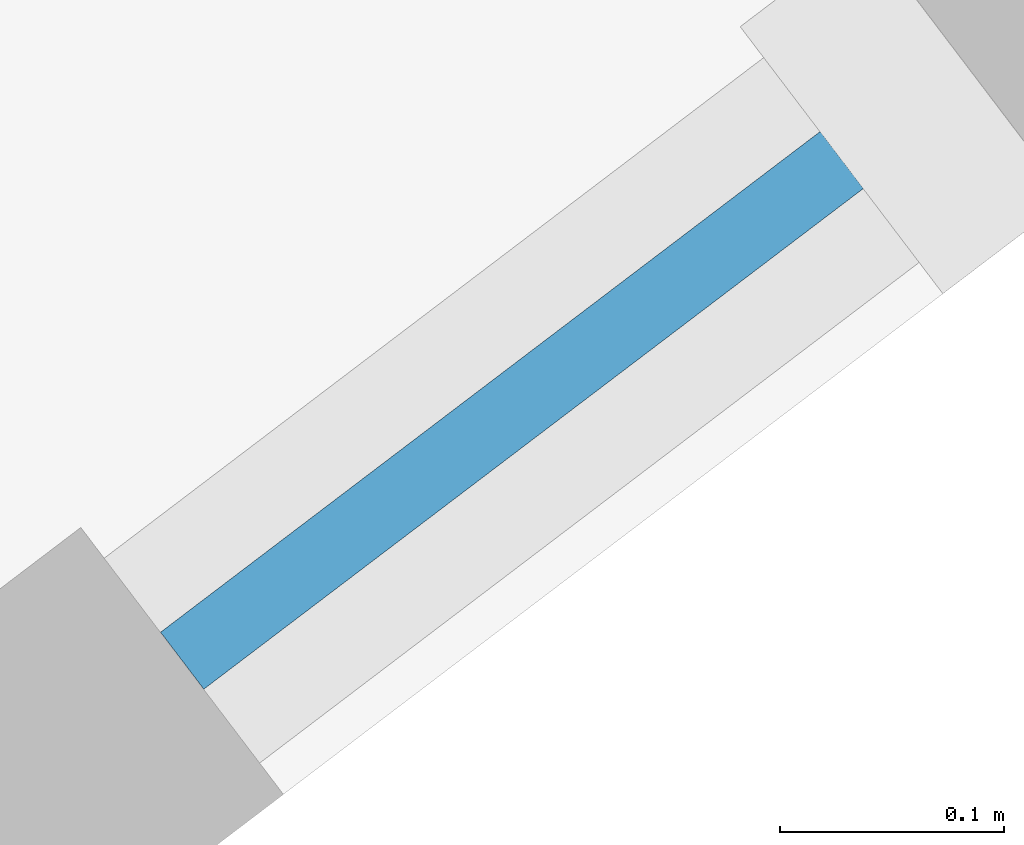
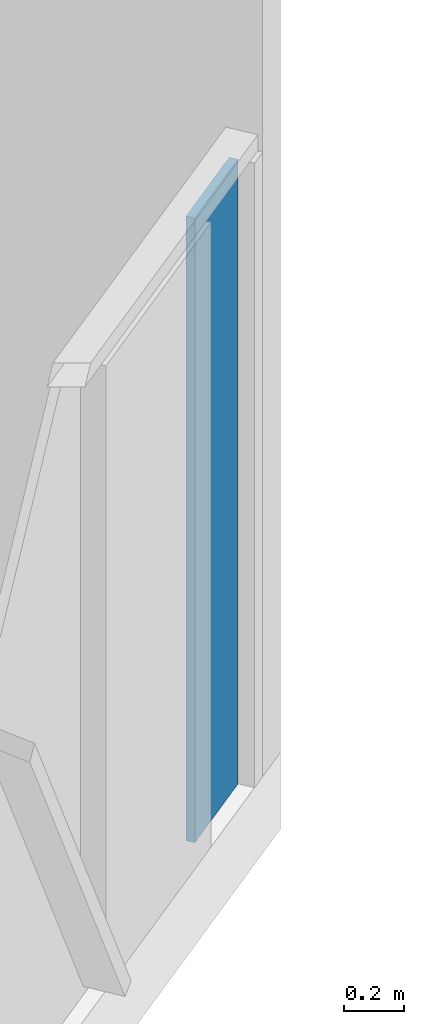
# One storey, part 16 of 26: 1 plate, 1 element without a shape of its own.
"""IFC4 building model written with IfcOpenShell, lengths in metres."""

from ifc_helpers import new_model, si_unit, direction, frame, origin, origin_2d, place, context, subcontext, project, spatial, rectangle, extrude, material, layer, layer_set, type_object, element, aggregate, save


model = new_model("IFC4")

# Units and contexts
model_context = context("Model", 3, precision=1e-05, world=origin(), true_north=direction((0.0, 1.0)))
body_context = subcontext(model_context, "Body", "Model", "MODEL_VIEW")
ifc_project = project(units=[si_unit("LENGTHUNIT", "METRE"), si_unit("AREAUNIT", "SQUARE_METRE"), si_unit("VOLUMEUNIT", "CUBIC_METRE"), si_unit("PLANEANGLEUNIT", "RADIAN"), si_unit("MASSUNIT", "GRAM", prefix="KILO")], contexts=[model_context])

# Site, building, storey
site_placement = place(None, origin())
site = spatial("IfcSite", under=ifc_project, at=site_placement, CompositionType="ELEMENT")
building_placement = place(site_placement, origin())
building = spatial("IfcBuilding", under=site, at=building_placement, Name="Verdalira Terraces Hotel", CompositionType="ELEMENT")
storey_placement = place(building_placement, frame((0.0, 0.0, 306.5)))
storey = spatial("IfcBuildingStorey", under=building, at=storey_placement, Name="L76", CompositionType="ELEMENT", Elevation=306.5)

# Curtain wall, plate
ifc_material_1 = material(Name="Clear glass", Category="glass")
ifc_layer_1 = layer(ifc_material_1, 0.14990234375)
ifc_layer_set_1 = layer_set([ifc_layer_1], Name="CW2 curtain wall")
curtain_wall_type = type_object("IfcCurtainWallType", Name="CW2 curtain wall", PredefinedType="NOTDEFINED", material=ifc_layer_set_1)
curtain_wall_placement = place(storey_placement, origin())
curtain_wall = element("IfcCurtainWall", 1, at=curtain_wall_placement, inside=storey, type_object=curtain_wall_type, Name="CW2 curtain wall L76 edge 28", PredefinedType="NOTDEFINED")
ifc_material_2 = material(Name="Clear glass", Category="glass")
ifc_layer_2 = layer(ifc_material_2, 0.031982421875)
ifc_layer_set_2 = layer_set([ifc_layer_2], Name="CW2 glass unit 32")
plate_type = type_object("IfcPlateType", Name="CW2 glass unit 32", PredefinedType="CURTAIN_PANEL", material=ifc_layer_set_2)
plate_placement = place(storey_placement, frame((35.722412, 19.048584, 0.0), z_axis=(0.0, 0.0, 1.0), x_axis=(0.796529918, 0.604599115, 0.0)))
plate = element("IfcPlate", 2, at=plate_placement, type_object=plate_type, Name="CW2 glass unit", PredefinedType="CURTAIN_PANEL", context=body_context, shape_type="SweptSolid", body=[
    extrude(rectangle(XDim=0.370361, YDim=0.031982, at=origin_2d()), origin(), (0.0, 0.0, 1.0), 2.524902),
])
aggregate(curtain_wall, [plate])

save(model, "model.ifc")
